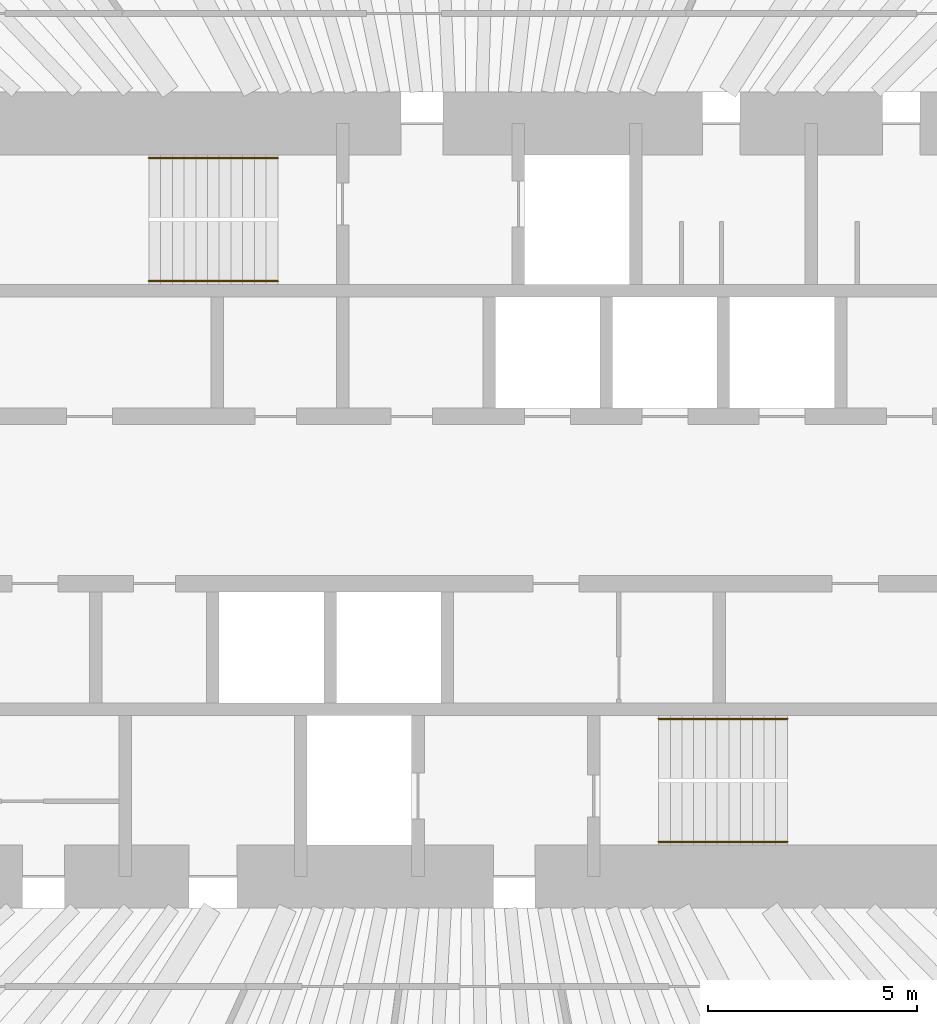
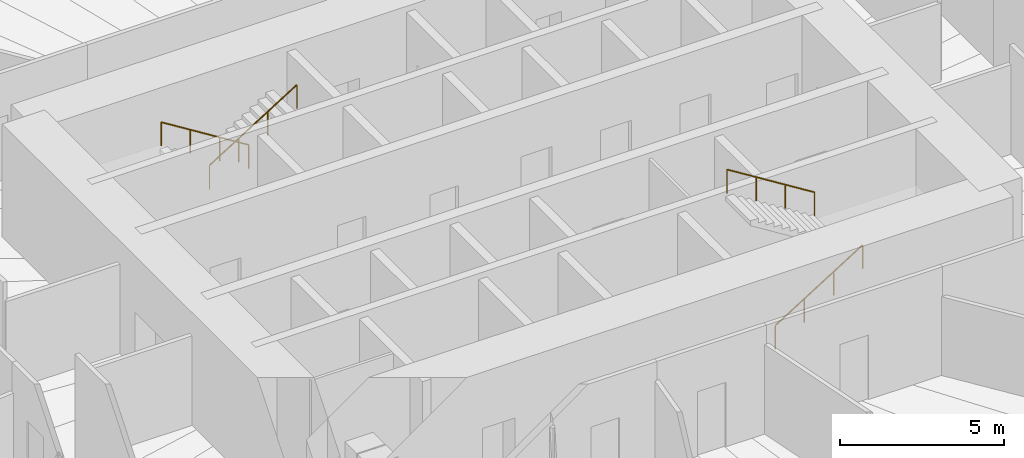
# One storey, part 13 of 13: 4 railings.
"""IFC4 building model written with IfcOpenShell, lengths in metres."""

from ifc_helpers import new_model, si_unit, direction, frame, origin, origin_2d, place, context, subcontext, project, spatial, circle, extrude, material, type_object, element, save


model = new_model("IFC4")

# Units and contexts
model_context = context("Model", 3, precision=1e-05, world=origin(), true_north=direction((0.0, 1.0)))
body_context = subcontext(model_context, "Body", "Model", "MODEL_VIEW")
ifc_project = project(units=[si_unit("LENGTHUNIT", "METRE"), si_unit("AREAUNIT", "SQUARE_METRE"), si_unit("VOLUMEUNIT", "CUBIC_METRE"), si_unit("PLANEANGLEUNIT", "RADIAN"), si_unit("MASSUNIT", "GRAM", prefix="KILO")], contexts=[model_context])

# Site, building, storey
site_placement = place(None, origin())
site = spatial("IfcSite", under=ifc_project, at=site_placement, CompositionType="ELEMENT")
building_placement = place(site_placement, origin())
building = spatial("IfcBuilding", under=site, at=building_placement, Name="Qingtian Harvest Tower", CompositionType="ELEMENT")
storey_placement = place(building_placement, frame((0.0, 0.0, 119.800048828125)))
storey = spatial("IfcBuildingStorey", under=building, at=storey_placement, Name="L24", CompositionType="ELEMENT", Elevation=119.800048828125)

# Railings
ifc_material = material(Name="Stainless steel handrail", Category="steel")
railing_type = type_object("IfcRailingType", Name="Handrail HR1", PredefinedType="HANDRAIL", material=ifc_material)
railing_1_placement = place(storey_placement, frame((-4.550048828125, 8.169921875, 0.175048828125)))
element("IfcRailing", 1, at=railing_1_placement, inside=storey, type_object=railing_type, Name="Handrail HR1 S1 flight 1", PredefinedType="HANDRAIL", context=body_context, shape_type="SweptSolid", body=[
    extrude(circle(Radius=0.02392578125, at=origin_2d()), frame((0.0, 0.0, 0.8759765625), z_axis=(-0.848009633417, 0.0, 0.529980812513), x_axis=(0.0, -1.0, 0.0)), (0.0, 0.0, 1.0), 3.6318359375),
    extrude(circle(Radius=0.02099609375, at=origin_2d()), origin(), (0.0, 0.0, 1.0), 0.851806640625),
    extrude(circle(Radius=0.02099609375, at=origin_2d()), frame((-1.026611328125, 0.0, 0.6416015625)), (0.0, 0.0, 1.0), 0.851806640625),
    extrude(circle(Radius=0.02099609375, at=origin_2d()), frame((-2.05322265625, 0.0, 1.283203125)), (0.0, 0.0, 1.0), 0.851806640625),
    extrude(circle(Radius=0.02099609375, at=origin_2d()), frame((-3.079833984375, 0.0, 1.9248046875)), (0.0, 0.0, 1.0), 0.851806640625),
])
railing_2_placement = place(storey_placement, frame((-7.6298828125, 5.22998046875, 2.27490234375)))
element("IfcRailing", 2, at=railing_2_placement, inside=storey, type_object=railing_type, Name="Handrail HR1 S1 flight 2", PredefinedType="HANDRAIL", context=body_context, shape_type="SweptSolid", body=[
    extrude(circle(Radius=0.02392578125, at=origin_2d()), frame((0.0, 0.0, 0.8759765625), z_axis=(0.847979421464, 0.0, 0.530029150871), x_axis=(0.0, 1.0, 0.0)), (0.0, 0.0, 1.0), 3.632080078125),
    extrude(circle(Radius=0.02099609375, at=origin_2d()), origin(), (0.0, 0.0, 1.0), 0.851806640625),
    extrude(circle(Radius=0.02099609375, at=origin_2d()), frame((1.026611328125, 0.0, 0.6416015625)), (0.0, 0.0, 1.0), 0.851806640625),
    extrude(circle(Radius=0.02099609375, at=origin_2d()), frame((2.05322265625, 0.0, 1.283447265625)), (0.0, 0.0, 1.0), 0.851806640625),
    extrude(circle(Radius=0.02099609375, at=origin_2d()), frame((3.079833984375, 0.0, 1.925048828125)), (0.0, 0.0, 1.0), 0.851806640625),
])
railing_3_placement = place(storey_placement, frame((4.550048828125, -8.169921875, 0.175048828125)))
element("IfcRailing", 3, at=railing_3_placement, inside=storey, type_object=railing_type, Name="Handrail HR1 S2 flight 1", PredefinedType="HANDRAIL", context=body_context, shape_type="SweptSolid", body=[
    extrude(circle(Radius=0.02392578125, at=origin_2d()), frame((0.0, 0.0, 0.8759765625), z_axis=(0.848009633417, 0.0, 0.529980812513), x_axis=(0.0, 1.0, 0.0)), (0.0, 0.0, 1.0), 3.6318359375),
    extrude(circle(Radius=0.02099609375, at=origin_2d()), origin(), (0.0, 0.0, 1.0), 0.851806640625),
    extrude(circle(Radius=0.02099609375, at=origin_2d()), frame((1.026611328125, 0.0, 0.6416015625)), (0.0, 0.0, 1.0), 0.851806640625),
    extrude(circle(Radius=0.02099609375, at=origin_2d()), frame((2.05322265625, 0.0, 1.283203125)), (0.0, 0.0, 1.0), 0.851806640625),
    extrude(circle(Radius=0.02099609375, at=origin_2d()), frame((3.079833984375, 0.0, 1.9248046875)), (0.0, 0.0, 1.0), 0.851806640625),
])
railing_4_placement = place(storey_placement, frame((7.6298828125, -5.22998046875, 2.27490234375)))
element("IfcRailing", 4, at=railing_4_placement, inside=storey, type_object=railing_type, Name="Handrail HR1 S2 flight 2", PredefinedType="HANDRAIL", context=body_context, shape_type="SweptSolid", body=[
    extrude(circle(Radius=0.02392578125, at=origin_2d()), frame((0.0, 0.0, 0.8759765625), z_axis=(-0.847979421464, 0.0, 0.530029150871), x_axis=(0.0, -1.0, 0.0)), (0.0, 0.0, 1.0), 3.632080078125),
    extrude(circle(Radius=0.02099609375, at=origin_2d()), origin(), (0.0, 0.0, 1.0), 0.851806640625),
    extrude(circle(Radius=0.02099609375, at=origin_2d()), frame((-1.026611328125, 0.0, 0.6416015625)), (0.0, 0.0, 1.0), 0.851806640625),
    extrude(circle(Radius=0.02099609375, at=origin_2d()), frame((-2.05322265625, 0.0, 1.283447265625)), (0.0, 0.0, 1.0), 0.851806640625),
    extrude(circle(Radius=0.02099609375, at=origin_2d()), frame((-3.079833984375, 0.0, 1.925048828125)), (0.0, 0.0, 1.0), 0.851806640625),
])

save(model, "model.ifc")
